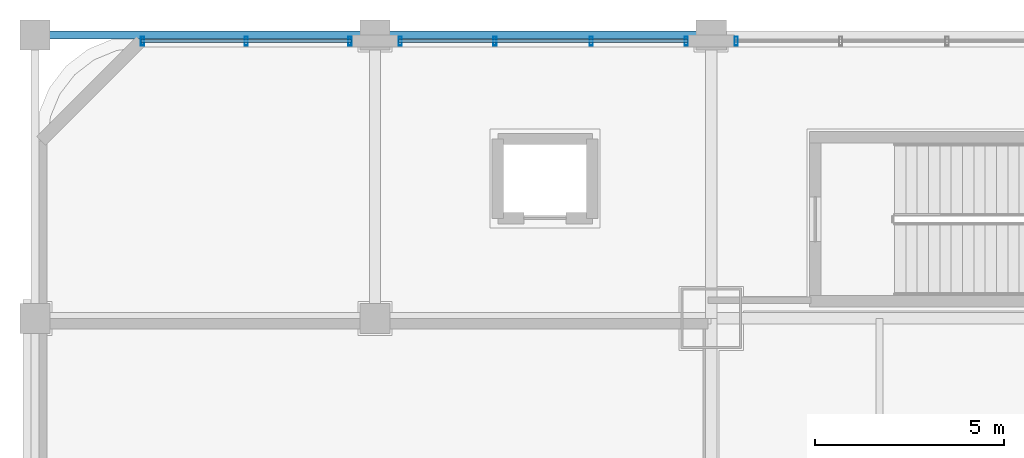
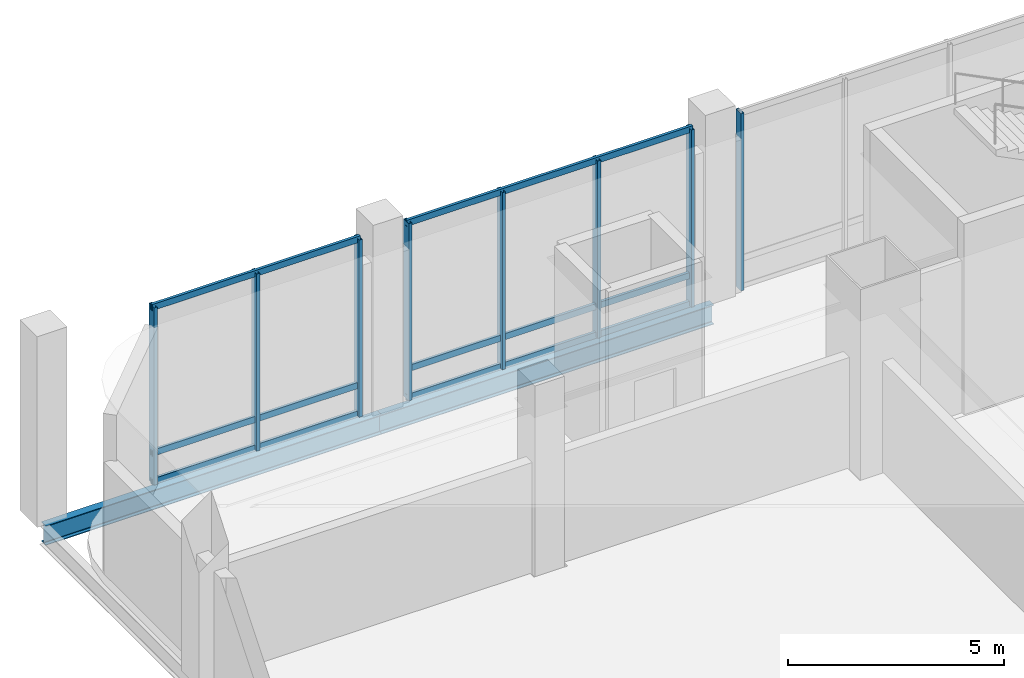
# One storey, part 10 of 35: 14 members, 2 beams, 3 elements without a shape of their own.
"""IFC4 building model written with IfcOpenShell, lengths in metres."""

from ifc_helpers import new_model, si_unit, direction, frame, origin, origin_2d, place, context, subcontext, project, spatial, hollow_rectangle, i_section, extrude, material, material_profile, profile_set, type_object, element, aggregate, save


model = new_model("IFC4")

# Units and contexts
model_context = context("Model", 3, precision=1e-05, world=origin(), true_north=direction((0.0, 1.0)))
body_context = subcontext(model_context, "Body", "Model", "MODEL_VIEW")
ifc_project = project(units=[si_unit("LENGTHUNIT", "METRE"), si_unit("AREAUNIT", "SQUARE_METRE"), si_unit("VOLUMEUNIT", "CUBIC_METRE"), si_unit("PLANEANGLEUNIT", "RADIAN"), si_unit("MASSUNIT", "GRAM", prefix="KILO")], contexts=[model_context])

# Site, building, storey
site_placement = place(None, origin())
site = spatial("IfcSite", under=ifc_project, at=site_placement, CompositionType="ELEMENT")
building_placement = place(site_placement, origin())
building = spatial("IfcBuilding", under=site, at=building_placement, Name="Punatoya Terracotta Tower", CompositionType="ELEMENT")
storey_placement = place(building_placement, frame((0.0, 0.0, 16.800048828125)))
storey = spatial("IfcBuildingStorey", under=building, at=storey_placement, Name="L03", CompositionType="ELEMENT", Elevation=16.800048828125)

# Beams
ifc_material_1 = material(Name="Steel S355", Category="steel")
ifc_material_profile_1 = material_profile(ifc_material_1, i_section(OverallWidth=0.2099609375, OverallDepth=0.550048828125, WebThickness=0.010986328125, FlangeThickness=0.01708984375, FilletRadius=0.01806640625, at=origin_2d()))
ifc_profile_set_1 = profile_set([ifc_material_profile_1], Name="Steel S355")
beam_type = type_object("IfcBeamType", Name="BM-SPN-550", PredefinedType="SPANDREL", material=ifc_profile_set_1)
beam_1_placement = place(storey_placement, frame((-37.0, 25.0, -0.554931640625), z_axis=(1.0, 0.0, 0.0), x_axis=(0.0, 1.0, 0.0)))
element("IfcBeam", 1, at=beam_1_placement, inside=storey, type_object=beam_type, Name="BM-L03-HW1", PredefinedType="SPANDREL", context=body_context, shape_type="SweptSolid", body=[
    extrude(i_section(OverallWidth=0.2099609375, OverallDepth=0.550048828125, WebThickness=0.010986328125, FlangeThickness=0.01708984375, FilletRadius=0.01806640625, at=origin_2d()), origin(), (0.0, 0.0, 1.0), 9.0),
])
beam_2_placement = place(storey_placement, frame((-28.0, 25.0, -0.554931640625), z_axis=(1.0, 0.0, 0.0), x_axis=(0.0, 1.0, 0.0)))
element("IfcBeam", 2, at=beam_2_placement, inside=storey, type_object=beam_type, Name="BM-L03-HW2", PredefinedType="SPANDREL", context=body_context, shape_type="SweptSolid", body=[
    extrude(i_section(OverallWidth=0.2099609375, OverallDepth=0.550048828125, WebThickness=0.010986328125, FlangeThickness=0.01708984375, FilletRadius=0.01806640625, at=origin_2d()), origin(), (0.0, 0.0, 1.0), 8.89990234375),
])

# Curtain wall, members
ifc_material_2 = material(Name="Aluminium 6063-T6 + Double Low-E Glass", Category="aluminium")
curtain_wall_type = type_object("IfcCurtainWallType", Name="CW-POD", PredefinedType="NOTDEFINED", material=ifc_material_2)
curtain_wall_1_placement = place(storey_placement, origin())
curtain_wall_1 = element("IfcCurtainWall", 3, at=curtain_wall_1_placement, inside=storey, type_object=curtain_wall_type, Name="L03 Curtain Wall CWP-L03-N1", PredefinedType="NOTDEFINED")
ifc_material_3 = material(Name="Aluminium 6063-T6", Category="aluminium")
ifc_material_profile_2 = material_profile(ifc_material_3, hollow_rectangle(XDim=0.0849609375, YDim=0.239990234375, WallThickness=0.0048828125, at=origin_2d()))
ifc_profile_set_2 = profile_set([ifc_material_profile_2], Name="Aluminium 6063-T6")
member_type_1 = type_object("IfcMemberType", Name="CW-MUL-POD", PredefinedType="MULLION", material=ifc_profile_set_2)
member_1_placement = place(storey_placement, frame((-28.6650390625, 24.840087890625, 0.0), z_axis=(0.0, 0.0, 1.0), x_axis=(1.0, 0.0, 0.0)))
member_1 = element("IfcMember", 4, at=member_1_placement, type_object=member_type_1, Name="CWP-L03-N1 Mullion 00", PredefinedType="MULLION", context=body_context, shape_type="SweptSolid", body=[
    extrude(hollow_rectangle(XDim=0.0849609375, YDim=0.239990234375, WallThickness=0.0048828125, at=origin_2d()), origin(), (0.0, 0.0, 1.0), 5.02001953125),
])
member_2_placement = place(storey_placement, frame((-31.409912109375, 24.840087890625, 0.0), z_axis=(0.0, 0.0, 1.0), x_axis=(1.0, 0.0, 0.0)))
member_2 = element("IfcMember", 5, at=member_2_placement, type_object=member_type_1, Name="CWP-L03-N1 Mullion 01", PredefinedType="MULLION", context=body_context, shape_type="SweptSolid", body=[
    extrude(hollow_rectangle(XDim=0.0849609375, YDim=0.239990234375, WallThickness=0.0048828125, at=origin_2d()), origin(), (0.0, 0.0, 1.0), 5.02001953125),
])
member_3_placement = place(storey_placement, frame((-34.155029296875, 24.840087890625, 0.0), z_axis=(0.0, 0.0, 1.0), x_axis=(1.0, 0.0, 0.0)))
member_3 = element("IfcMember", 6, at=member_3_placement, type_object=member_type_1, Name="CWP-L03-N1 Mullion 02", PredefinedType="MULLION", context=body_context, shape_type="SweptSolid", body=[
    extrude(hollow_rectangle(XDim=0.0849609375, YDim=0.239990234375, WallThickness=0.0048828125, at=origin_2d()), origin(), (0.0, 0.0, 1.0), 5.02001953125),
])

curtain_wall_2_placement = place(storey_placement, origin())
curtain_wall_2 = element("IfcCurtainWall", 7, at=curtain_wall_2_placement, inside=storey, type_object=curtain_wall_type, Name="L03 Curtain Wall CWP-L03-N2", PredefinedType="NOTDEFINED")
member_4_placement = place(storey_placement, frame((-19.764892578125, 24.840087890625, 0.0), z_axis=(0.0, 0.0, 1.0), x_axis=(1.0, 0.0, 0.0)))
member_4 = element("IfcMember", 8, at=member_4_placement, type_object=member_type_1, Name="CWP-L03-N2 Mullion 00", PredefinedType="MULLION", context=body_context, shape_type="SweptSolid", body=[
    extrude(hollow_rectangle(XDim=0.0849609375, YDim=0.239990234375, WallThickness=0.0048828125, at=origin_2d()), origin(), (0.0, 0.0, 1.0), 5.02001953125),
])
member_5_placement = place(storey_placement, frame((-22.273193359375, 24.840087890625, 0.0), z_axis=(0.0, 0.0, 1.0), x_axis=(1.0, 0.0, 0.0)))
member_5 = element("IfcMember", 9, at=member_5_placement, type_object=member_type_1, Name="CWP-L03-N2 Mullion 01", PredefinedType="MULLION", context=body_context, shape_type="SweptSolid", body=[
    extrude(hollow_rectangle(XDim=0.0849609375, YDim=0.239990234375, WallThickness=0.0048828125, at=origin_2d()), origin(), (0.0, 0.0, 1.0), 5.02001953125),
])
member_6_placement = place(storey_placement, frame((-24.82666015625, 24.840087890625, 0.0), z_axis=(0.0, 0.0, 1.0), x_axis=(1.0, 0.0, 0.0)))
member_6 = element("IfcMember", 10, at=member_6_placement, type_object=member_type_1, Name="CWP-L03-N2 Mullion 02", PredefinedType="MULLION", context=body_context, shape_type="SweptSolid", body=[
    extrude(hollow_rectangle(XDim=0.0849609375, YDim=0.239990234375, WallThickness=0.0048828125, at=origin_2d()), origin(), (0.0, 0.0, 1.0), 5.02001953125),
])
member_7_placement = place(storey_placement, frame((-27.3349609375, 24.840087890625, 0.0), z_axis=(0.0, 0.0, 1.0), x_axis=(1.0, 0.0, 0.0)))
member_7 = element("IfcMember", 11, at=member_7_placement, type_object=member_type_1, Name="CWP-L03-N2 Mullion 03", PredefinedType="MULLION", context=body_context, shape_type="SweptSolid", body=[
    extrude(hollow_rectangle(XDim=0.0849609375, YDim=0.239990234375, WallThickness=0.0048828125, at=origin_2d()), origin(), (0.0, 0.0, 1.0), 5.02001953125),
])

# Curtain wall, member
curtain_wall_3_placement = place(storey_placement, origin())
curtain_wall_3 = element("IfcCurtainWall", 12, at=curtain_wall_3_placement, inside=storey, type_object=curtain_wall_type, Name="L03 Curtain Wall CWP-L03-N3", PredefinedType="NOTDEFINED")
member_8_placement = place(storey_placement, frame((-18.43505859375, 24.840087890625, 0.0), z_axis=(0.0, 0.0, 1.0), x_axis=(1.0, 0.0, 0.0)))
member_8 = element("IfcMember", 13, at=member_8_placement, type_object=member_type_1, Name="CWP-L03-N3 Mullion 05", PredefinedType="MULLION", context=body_context, shape_type="SweptSolid", body=[
    extrude(hollow_rectangle(XDim=0.0849609375, YDim=0.239990234375, WallThickness=0.0048828125, at=origin_2d()), origin(), (0.0, 0.0, 1.0), 5.02001953125),
])
aggregate(curtain_wall_3, [member_8])

# Member
ifc_material_profile_3 = material_profile(ifc_material_3, hollow_rectangle(XDim=0.074951171875, YDim=0.175048828125, WallThickness=0.00439453125, at=origin_2d()))
ifc_profile_set_3 = profile_set([ifc_material_profile_3], Name="Aluminium 6063-T6")
member_type_2 = type_object("IfcMemberType", Name="CW-TRN-POD", PredefinedType="USERDEFINED", material=ifc_profile_set_3)
member_9_placement = place(storey_placement, frame((-28.6201171875, 24.840087890625, 0.0400390625), z_axis=(-1.0, 0.0, 0.0), x_axis=(0.0, -1.0, 0.0)))
member_9 = element("IfcMember", 14, at=member_9_placement, type_object=member_type_2, Name="CWP-L03-N1 Transom 1", ObjectType="TRANSOM", PredefinedType="USERDEFINED", context=body_context, shape_type="SweptSolid", body=[
    extrude(hollow_rectangle(XDim=0.074951171875, YDim=0.175048828125, WallThickness=0.00439453125, at=origin_2d()), origin(), (0.0, 0.0, 1.0), 5.579833984375),
])

member_10_placement = place(storey_placement, frame((-28.6201171875, 24.840087890625, 0.849853515625), z_axis=(-1.0, 0.0, 0.0), x_axis=(0.0, -1.0, 0.0)))
member_10 = element("IfcMember", 15, at=member_10_placement, type_object=member_type_2, Name="CWP-L03-N1 Transom 2", ObjectType="TRANSOM", PredefinedType="USERDEFINED", context=body_context, shape_type="SweptSolid", body=[
    extrude(hollow_rectangle(XDim=0.074951171875, YDim=0.175048828125, WallThickness=0.00439453125, at=origin_2d()), origin(), (0.0, 0.0, 1.0), 5.579833984375),
])

member_11_placement = place(storey_placement, frame((-28.6201171875, 24.840087890625, 4.97998046875), z_axis=(-1.0, 0.0, 0.0), x_axis=(0.0, -1.0, 0.0)))
member_11 = element("IfcMember", 16, at=member_11_placement, type_object=member_type_2, Name="CWP-L03-N1 Transom 3", ObjectType="TRANSOM", PredefinedType="USERDEFINED", context=body_context, shape_type="SweptSolid", body=[
    extrude(hollow_rectangle(XDim=0.074951171875, YDim=0.175048828125, WallThickness=0.00439453125, at=origin_2d()), origin(), (0.0, 0.0, 1.0), 5.579833984375),
])

aggregate(curtain_wall_1, [member_1, member_2, member_3, member_9, member_10, member_11])

member_12_placement = place(storey_placement, frame((-19.719970703125, 24.840087890625, 0.0400390625), z_axis=(-1.0, 0.0, 0.0), x_axis=(0.0, -1.0, 0.0)))
member_12 = element("IfcMember", 17, at=member_12_placement, type_object=member_type_2, Name="CWP-L03-N2 Transom 1", ObjectType="TRANSOM", PredefinedType="USERDEFINED", context=body_context, shape_type="SweptSolid", body=[
    extrude(hollow_rectangle(XDim=0.074951171875, YDim=0.175048828125, WallThickness=0.00439453125, at=origin_2d()), origin(), (0.0, 0.0, 1.0), 7.659912109375),
])

member_13_placement = place(storey_placement, frame((-19.719970703125, 24.840087890625, 0.849853515625), z_axis=(-1.0, 0.0, 0.0), x_axis=(0.0, -1.0, 0.0)))
member_13 = element("IfcMember", 18, at=member_13_placement, type_object=member_type_2, Name="CWP-L03-N2 Transom 2", ObjectType="TRANSOM", PredefinedType="USERDEFINED", context=body_context, shape_type="SweptSolid", body=[
    extrude(hollow_rectangle(XDim=0.074951171875, YDim=0.175048828125, WallThickness=0.00439453125, at=origin_2d()), origin(), (0.0, 0.0, 1.0), 7.659912109375),
])

member_14_placement = place(storey_placement, frame((-19.719970703125, 24.840087890625, 4.97998046875), z_axis=(-1.0, 0.0, 0.0), x_axis=(0.0, -1.0, 0.0)))
member_14 = element("IfcMember", 19, at=member_14_placement, type_object=member_type_2, Name="CWP-L03-N2 Transom 3", ObjectType="TRANSOM", PredefinedType="USERDEFINED", context=body_context, shape_type="SweptSolid", body=[
    extrude(hollow_rectangle(XDim=0.074951171875, YDim=0.175048828125, WallThickness=0.00439453125, at=origin_2d()), origin(), (0.0, 0.0, 1.0), 7.659912109375),
])

aggregate(curtain_wall_2, [member_4, member_5, member_6, member_7, member_12, member_13, member_14])

save(model, "model.ifc")
